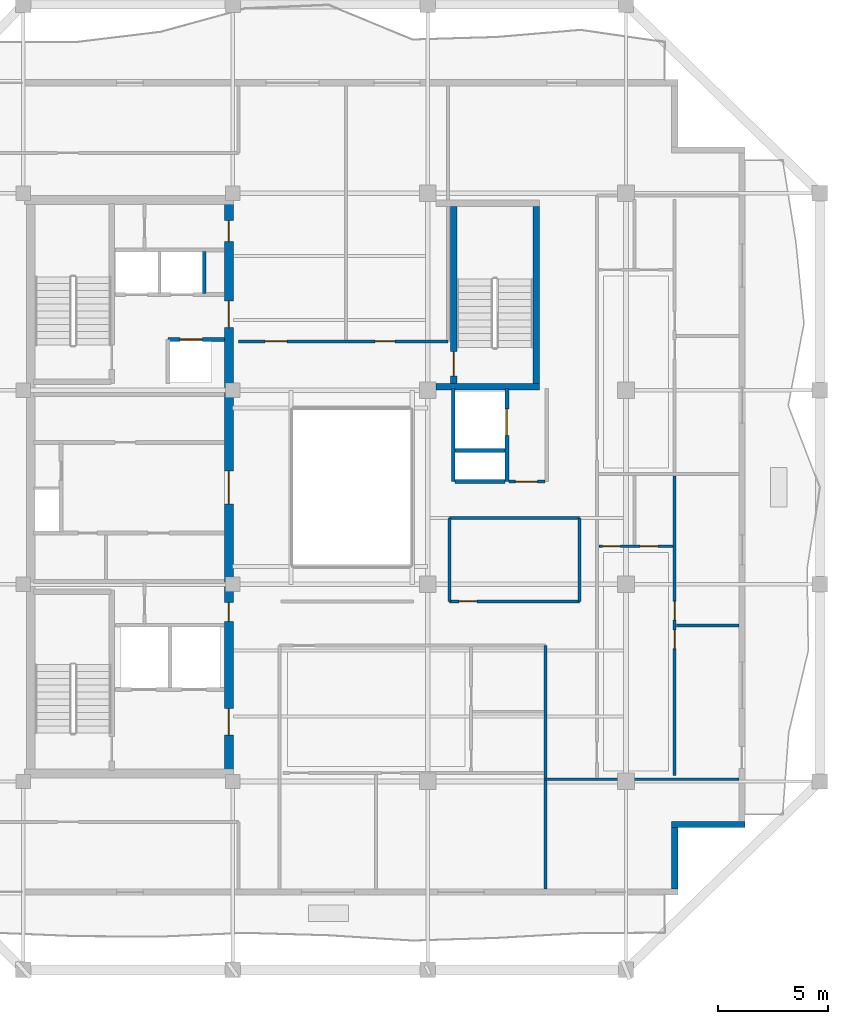
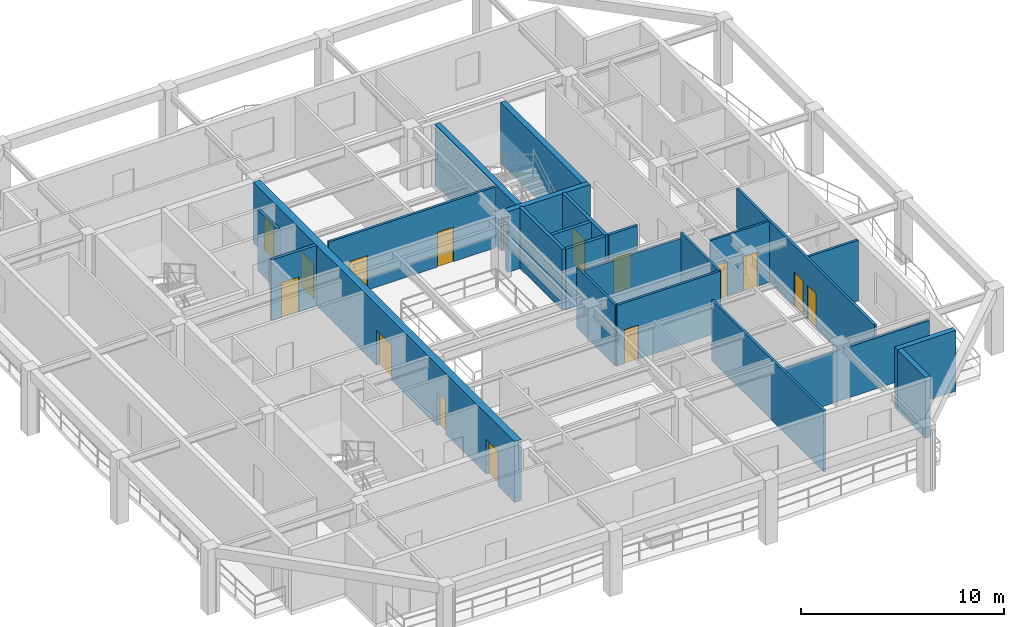
# One storey, part 4 of 10: 23 walls, 16 doors, 16 openings.
"""IFC4 building model written with IfcOpenShell, lengths in metres."""

from ifc_helpers import new_model, si_unit, direction, frame, frame_2d, origin, place, context, subcontext, project, spatial, rectangle, extrude, material, layer, layer_set, type_object, element, fill, save


model = new_model("IFC4")

# Units and contexts
model_context = context("Model", 3, precision=1e-05, world=origin(), true_north=direction((0.0, 1.0)))
body_context = subcontext(model_context, "Body", "Model", "MODEL_VIEW")
ifc_project = project(units=[si_unit("LENGTHUNIT", "METRE"), si_unit("AREAUNIT", "SQUARE_METRE"), si_unit("VOLUMEUNIT", "CUBIC_METRE"), si_unit("PLANEANGLEUNIT", "RADIAN"), si_unit("MASSUNIT", "GRAM", prefix="KILO")], contexts=[model_context])

# Site, building, storey
site_placement = place(None, origin())
site = spatial("IfcSite", under=ifc_project, at=site_placement, CompositionType="ELEMENT")
building_placement = place(site_placement, origin())
building = spatial("IfcBuilding", under=site, at=building_placement, Name="Kundavana Baori Tower", CompositionType="ELEMENT")
storey_placement = place(building_placement, frame((0.0, 0.0, 299.89990234375)))
storey = spatial("IfcBuildingStorey", under=building, at=storey_placement, Name="L74", CompositionType="ELEMENT", Elevation=299.89990234375)

# Wall, openings, doors
ifc_material_1 = material(Name="Concrete C50/60", Category="concrete")
ifc_layer_1 = layer(ifc_material_1, 0.39990234375, Name="WL-CORE-400")
ifc_layer_set_1 = layer_set([ifc_layer_1], Name="Concrete C50/60")
wall_type_1 = type_object("IfcWallType", Name="WL-CORE-400", PredefinedType="SHEAR", material=ifc_layer_set_1)
wall_1_placement = place(storey_placement, frame((24.780029296875, 15.739990234375, 0.0), z_axis=(0.0, 0.0, 1.0), x_axis=(0.0, 1.0, 0.0)))
wall_1 = element("IfcWall", 1, at=wall_1_placement, inside=storey, type_object=wall_type_1, Name="L74 Offset Core East Shear Wall", PredefinedType="SHEAR", context=body_context, shape_type="SweptSolid", body=[
    extrude(rectangle(XDim=25.760009765625, YDim=0.39990234375, at=frame_2d((12.8798828125, 0.0))), origin(), (0.0, 0.0, 1.0), 3.66015625),
])
opening_1_placement = place(wall_1_placement, frame((1.610107421875, 0.0, 0.0)))
opening_1 = element("IfcOpeningElement", 2, at=opening_1_placement, cuts=wall_1, Name="Opening FD-120", PredefinedType="OPENING", context=body_context, shape_type="SweptSolid", body=[
    extrude(rectangle(XDim=1.199951171875, YDim=2.10009765625, at=frame_2d((0.60009765625, 1.050048828125))), frame((0.0, 0.2099609375, 0.0), z_axis=(0.0, -1.0, 0.0), x_axis=(1.0, 0.0, 0.0)), (0.0, 0.0, 1.0), 0.419921875),
])
opening_2_placement = place(wall_1_placement, frame((6.780029296875, 0.0, 0.0)))
opening_2 = element("IfcOpeningElement", 3, at=opening_2_placement, cuts=wall_1, Name="Opening FD-085", PredefinedType="OPENING", context=body_context, shape_type="SweptSolid", body=[
    extrude(rectangle(XDim=0.85009765625, YDim=2.06005859375, at=frame_2d((0.425048828125, 1.030029296875))), frame((0.0, 0.2099609375, 0.0), z_axis=(0.0, -1.0, 0.0), x_axis=(1.0, 0.0, 0.0)), (0.0, 0.0, 1.0), 0.419921875),
])
opening_3_placement = place(wall_1_placement, frame((12.110107421875, 0.0, 0.0)))
opening_3 = element("IfcOpeningElement", 4, at=opening_3_placement, cuts=wall_1, Name="Opening FD-150", PredefinedType="OPENING", context=body_context, shape_type="SweptSolid", body=[
    extrude(rectangle(XDim=1.5, YDim=2.1201171875, at=frame_2d((0.75, 1.06005859375))), frame((0.0, 0.2099609375, 0.0), z_axis=(0.0, -1.0, 0.0), x_axis=(1.0, 0.0, 0.0)), (0.0, 0.0, 1.0), 0.419921875),
])
opening_4_placement = place(wall_1_placement, frame((20.110107421875, 0.0, 0.0)))
opening_4 = element("IfcOpeningElement", 5, at=opening_4_placement, cuts=wall_1, Name="Opening FD-122", PredefinedType="OPENING", context=body_context, shape_type="SweptSolid", body=[
    extrude(rectangle(XDim=1.199951171875, YDim=2.1201171875, at=frame_2d((0.60009765625, 1.06005859375))), frame((0.0, 0.2099609375, 0.0), z_axis=(0.0, -1.0, 0.0), x_axis=(1.0, 0.0, 0.0)), (0.0, 0.0, 1.0), 0.419921875),
])
opening_5_placement = place(wall_1_placement, frame((24.010009765625, 0.0, 0.0)))
opening_5 = element("IfcOpeningElement", 6, at=opening_5_placement, cuts=wall_1, Name="Opening FD-095", PredefinedType="OPENING", context=body_context, shape_type="SweptSolid", body=[
    extrude(rectangle(XDim=0.949951171875, YDim=2.10009765625, at=frame_2d((0.47509765625, 1.050048828125))), frame((0.0, 0.2099609375, 0.0), z_axis=(0.0, -1.0, 0.0), x_axis=(1.0, 0.0, 0.0)), (0.0, 0.0, 1.0), 0.419921875),
])
ifc_material_2 = material(Name="Galvanised Steel Fire-Rated Door Leaf", Category="steel")
door_type_1 = type_object("IfcDoorType", Name="DR-FD120-1200", OperationType="NOTDEFINED", PredefinedType="DOOR", material=ifc_material_2)
door_1_placement = place(opening_1_placement, frame((1.199951171875, 0.0, 0.0), z_axis=(0.0, 0.0, 1.0), x_axis=(-1.0, 0.0, 0.0)))
door_1 = element("IfcDoor", 7, at=door_1_placement, inside=storey, type_object=door_type_1, Name="DR-L74-FFLOB-E", OperationType="SINGLE_SWING_RIGHT", OverallHeight=2.10009765625, OverallWidth=1.199951171875, PredefinedType="DOOR", context=body_context, shape_type="SweptSolid", body=[
    extrude(rectangle(XDim=1.199951171875, YDim=2.10009765625, at=frame_2d((0.60009765625, 1.050048828125))), frame((0.0, 0.02490234375, 0.0), z_axis=(0.0, -1.0, 0.0), x_axis=(1.0, 0.0, 0.0)), (0.0, 0.0, 1.0), 0.050048828125),
])
fill(opening_1, door_1)
ifc_material_3 = material(Name="Galvanised Steel Fire-Rated Door Leaf", Category="steel")
door_type_2 = type_object("IfcDoorType", Name="DR-FD60-1200", OperationType="NOTDEFINED", PredefinedType="DOOR", material=ifc_material_3)
door_2_placement = place(opening_4_placement, frame((1.199951171875, 0.0, 0.0), z_axis=(0.0, 0.0, 1.0), x_axis=(-1.0, 0.0, 0.0)))
door_2 = element("IfcDoor", 8, at=door_2_placement, inside=storey, type_object=door_type_2, Name="DR-L74-HRLOB-E", OperationType="SINGLE_SWING_RIGHT", OverallHeight=2.1201171875, OverallWidth=1.199951171875, PredefinedType="DOOR", context=body_context, shape_type="SweptSolid", body=[
    extrude(rectangle(XDim=1.199951171875, YDim=2.1201171875, at=frame_2d((0.60009765625, 1.06005859375))), frame((0.0, 0.02490234375, 0.0), z_axis=(0.0, -1.0, 0.0), x_axis=(1.0, 0.0, 0.0)), (0.0, 0.0, 1.0), 0.050048828125),
])
fill(opening_4, door_2)
ifc_material_4 = material(Name="Galvanised Steel Fire-Rated Door Leaf", Category="steel")
door_type_3 = type_object("IfcDoorType", Name="DR-FD60-1500", OperationType="NOTDEFINED", PredefinedType="DOOR", material=ifc_material_4)
door_3_placement = place(opening_3_placement, frame((1.5, 0.0, 0.0), z_axis=(0.0, 0.0, 1.0), x_axis=(-1.0, 0.0, 0.0)))
door_3 = element("IfcDoor", 9, at=door_3_placement, inside=storey, type_object=door_type_3, Name="DR-L74-LIFTHALL-E", OperationType="SINGLE_SWING_LEFT", OverallHeight=2.1201171875, OverallWidth=1.5, PredefinedType="DOOR", context=body_context, shape_type="SweptSolid", body=[
    extrude(rectangle(XDim=1.5, YDim=2.1201171875, at=frame_2d((0.75, 1.06005859375))), frame((0.0, 0.02490234375, 0.0), z_axis=(0.0, -1.0, 0.0), x_axis=(1.0, 0.0, 0.0)), (0.0, 0.0, 1.0), 0.050048828125),
])
fill(opening_3, door_3)
ifc_material_5 = material(Name="Galvanised Steel Fire-Rated Door Leaf", Category="steel")
door_type_4 = type_object("IfcDoorType", Name="DR-FD60-850", OperationType="NOTDEFINED", PredefinedType="DOOR", material=ifc_material_5)
door_4_placement = place(opening_2_placement, frame((0.85009765625, 0.0, 0.0), z_axis=(0.0, 0.0, 1.0), x_axis=(-1.0, 0.0, 0.0)))
door_4 = element("IfcDoor", 10, at=door_4_placement, inside=storey, type_object=door_type_4, Name="DR-L74-CSMK2", OperationType="SINGLE_SWING_LEFT", OverallHeight=2.06005859375, OverallWidth=0.85009765625, PredefinedType="DOOR", context=body_context, shape_type="SweptSolid", body=[
    extrude(rectangle(XDim=0.85009765625, YDim=2.06005859375, at=frame_2d((0.425048828125, 1.030029296875))), frame((0.0, 0.02490234375, 0.0), z_axis=(0.0, -1.0, 0.0), x_axis=(1.0, 0.0, 0.0)), (0.0, 0.0, 1.0), 0.050048828125),
])
fill(opening_2, door_4)
ifc_material_6 = material(Name="Engineered Teak Fire-Rated Timber Door Leaf", Category="wood")
door_type_5 = type_object("IfcDoorType", Name="DR-FD60-950", OperationType="NOTDEFINED", PredefinedType="DOOR", material=ifc_material_6)
door_5_placement = place(opening_5_placement, frame((0.949951171875, 0.0, 0.0), z_axis=(0.0, 0.0, 1.0), x_axis=(-1.0, 0.0, 0.0)))
door_5 = element("IfcDoor", 11, at=door_5_placement, inside=storey, type_object=door_type_5, Name="DR-L74-CSRV2", OperationType="SINGLE_SWING_LEFT", OverallHeight=2.10009765625, OverallWidth=0.949951171875, PredefinedType="DOOR", context=body_context, shape_type="SweptSolid", body=[
    extrude(rectangle(XDim=0.949951171875, YDim=2.10009765625, at=frame_2d((0.47509765625, 1.050048828125))), frame((0.0, 0.02490234375, 0.0), z_axis=(0.0, -1.0, 0.0), x_axis=(1.0, 0.0, 0.0)), (0.0, 0.0, 1.0), 0.050048828125),
])
fill(opening_5, door_5)

# Walls
ifc_material_7 = material(Name="Red-Buff Dholpur Sandstone Cladding on Concrete C40/50", Category="masonry")
ifc_layer_2 = layer(ifc_material_7, 0.280029296875, Name="WL-EXT-SAND-280")
ifc_layer_set_2 = layer_set([ifc_layer_2], Name="Red-Buff Dholpur Sandstone Cladding on Concrete C40/50")
wall_type_2 = type_object("IfcWallType", Name="WL-EXT-SAND-280", PredefinedType="STANDARD", material=ifc_layer_set_2)
wall_2_placement = place(storey_placement, frame((45.010009765625, 10.3798828125, 0.0), z_axis=(0.0, 0.0, 1.0), x_axis=(0.0, 1.0, 0.0)))
element("IfcWall", 12, at=wall_2_placement, inside=storey, type_object=wall_type_2, Name="L74 Exterior Insulated Facade Wall 02", PredefinedType="STANDARD", context=body_context, shape_type="SweptSolid", body=[
    extrude(rectangle(XDim=2.77001953125, YDim=0.280029296875, at=frame_2d((1.385009765625, 0.0))), origin(), (0.0, 0.0, 1.0), 3.66015625),
])
wall_3_placement = place(storey_placement, frame((44.8701171875, 13.2900390625, 0.0), z_axis=(0.0, 0.0, 1.0), x_axis=(1.0, 0.0, 0.0)))
element("IfcWall", 13, at=wall_3_placement, inside=storey, type_object=wall_type_2, Name="L74 Exterior Insulated Facade Wall 03", PredefinedType="STANDARD", context=body_context, shape_type="SweptSolid", body=[
    extrude(rectangle(XDim=3.329833984375, YDim=0.280029296875, at=frame_2d((1.6650390625, 0.0))), origin(), (0.0, 0.0, 1.0), 3.66015625),
])

# Wall, openings, doors
ifc_material_8 = material(Name="Acoustic Gypsum Plasterboard on Galvanised Steel Studs", Category="steel")
ifc_layer_3 = layer(ifc_material_8, 0.135009765625, Name="WL-PART-135")
ifc_layer_set_3 = layer_set([ifc_layer_3], Name="Acoustic Gypsum Plasterboard on Galvanised Steel Studs")
wall_type_3 = type_object("IfcWallType", Name="WL-PART-135", PredefinedType="PARTITIONING", material=ifc_layer_set_3)
wall_4_placement = place(storey_placement, frame((25.219970703125, 35.219970703125, 0.0), z_axis=(0.0, 0.0, 1.0), x_axis=(1.0, 0.0, 0.0)))
wall_4 = element("IfcWall", 14, at=wall_4_placement, inside=storey, type_object=wall_type_3, Name="WL-L74-RN", PredefinedType="PARTITIONING", context=body_context, shape_type="SweptSolid", body=[
    extrude(rectangle(XDim=9.5, YDim=0.135009765625, at=frame_2d((4.75, 0.0))), origin(), (0.0, 0.0, 1.0), 3.66015625),
])
opening_6_placement = place(wall_4_placement, frame((1.199951171875, 0.0, 0.0)))
opening_6 = element("IfcOpeningElement", 15, at=opening_6_placement, cuts=wall_4, Name="Opening ID-100", PredefinedType="OPENING", context=body_context, shape_type="SweptSolid", body=[
    extrude(rectangle(XDim=1.0, YDim=2.080078125, at=frame_2d((0.5, 1.0400390625))), frame((0.0, 0.07763671875, 0.0), z_axis=(0.0, -1.0, 0.0), x_axis=(1.0, 0.0, 0.0)), (0.0, 0.0, 1.0), 0.155029296875),
])
opening_7_placement = place(wall_4_placement, frame((6.199951171875, 0.0, 0.0)))
opening_7 = element("IfcOpeningElement", 16, at=opening_7_placement, cuts=wall_4, Name="Opening ID-090", PredefinedType="OPENING", context=body_context, shape_type="SweptSolid", body=[
    extrude(rectangle(XDim=0.89990234375, YDim=2.080078125, at=frame_2d((0.449951171875, 1.0400390625))), frame((0.0, 0.07763671875, 0.0), z_axis=(0.0, -1.0, 0.0), x_axis=(1.0, 0.0, 0.0)), (0.0, 0.0, 1.0), 0.155029296875),
])
ifc_material_9 = material(Name="Engineered Teak Solid-Core Timber Veneer", Category="wood")
door_type_6 = type_object("IfcDoorType", Name="DR-INT-1000", OperationType="NOTDEFINED", PredefinedType="DOOR", material=ifc_material_9)
door_6_placement = place(opening_6_placement, origin())
door_6 = element("IfcDoor", 17, at=door_6_placement, inside=storey, type_object=door_type_6, Name="DR-L74-RLN1", OperationType="SINGLE_SWING_LEFT", OverallHeight=2.080078125, OverallWidth=1.0, PredefinedType="DOOR", context=body_context, shape_type="SweptSolid", body=[
    extrude(rectangle(XDim=1.0, YDim=2.080078125, at=frame_2d((0.5, 1.0400390625))), frame((0.0, 0.02490234375, 0.0), z_axis=(0.0, -1.0, 0.0), x_axis=(1.0, 0.0, 0.0)), (0.0, 0.0, 1.0), 0.050048828125),
])
fill(opening_6, door_6)
ifc_material_10 = material(Name="Engineered Teak Solid-Core Timber Veneer", Category="wood")
door_type_7 = type_object("IfcDoorType", Name="DR-INT-900", OperationType="NOTDEFINED", PredefinedType="DOOR", material=ifc_material_10)
door_7_placement = place(opening_7_placement, origin())
door_7 = element("IfcDoor", 18, at=door_7_placement, inside=storey, type_object=door_type_7, Name="DR-L74-RLN2", OperationType="SINGLE_SWING_RIGHT", OverallHeight=2.080078125, OverallWidth=0.89990234375, PredefinedType="DOOR", context=body_context, shape_type="SweptSolid", body=[
    extrude(rectangle(XDim=0.89990234375, YDim=2.080078125, at=frame_2d((0.449951171875, 1.0400390625))), frame((0.0, 0.02490234375, 0.0), z_axis=(0.0, -1.0, 0.0), x_axis=(1.0, 0.0, 0.0)), (0.0, 0.0, 1.0), 0.050048828125),
])
fill(opening_7, door_7)

# Walls
wall_5_placement = place(storey_placement, frame((39.14990234375, 10.3798828125, 0.0), z_axis=(0.0, 0.0, 1.0), x_axis=(0.0, 1.0, 0.0)))
element("IfcWall", 19, at=wall_5_placement, inside=storey, type_object=wall_type_3, Name="WL-L74-RSEND", PredefinedType="PARTITIONING", context=body_context, shape_type="SweptSolid", body=[
    extrude(rectangle(XDim=11.0400390625, YDim=0.135009765625, at=frame_2d((5.52001953125, 0.0))), origin(), (0.0, 0.0, 1.0), 3.66015625),
])
wall_6_placement = place(storey_placement, frame((39.14990234375, 15.35009765625, 0.0), z_axis=(0.0, 0.0, 1.0), x_axis=(1.0, 0.0, 0.0)))
element("IfcWall", 20, at=wall_6_placement, inside=storey, type_object=wall_type_3, Name="WL-L74-RES", PredefinedType="PARTITIONING", context=body_context, shape_type="SweptSolid", body=[
    extrude(rectangle(XDim=8.77001953125, YDim=0.135009765625, at=frame_2d((4.385009765625, 0.0))), origin(), (0.0, 0.0, 1.0), 3.06005859375),
])

# Wall, openings, doors
wall_7_placement = place(storey_placement, frame((45.00390625, 15.530029296875, 0.0), z_axis=(0.0, 0.0, 1.0), x_axis=(0.0, 1.0, 0.0)))
wall_7 = element("IfcWall", 21, at=wall_7_placement, inside=storey, type_object=wall_type_3, Name="WL-L74-E1-VT", PredefinedType="PARTITIONING", context=body_context, shape_type="SweptSolid", body=[
    extrude(rectangle(XDim=13.590087890625, YDim=0.135009765625, at=frame_2d((6.794921875, 0.0))), origin(), (0.0, 0.0, 1.0), 3.66015625),
])
opening_8_placement = place(wall_7_placement, frame((5.7451171875, 0.0, 0.0)))
opening_8 = element("IfcOpeningElement", 22, at=opening_8_placement, cuts=wall_7, Name="Opening ID-085", PredefinedType="OPENING", context=body_context, shape_type="SweptSolid", body=[
    extrude(rectangle(XDim=0.85009765625, YDim=2.080078125, at=frame_2d((0.425048828125, 1.0400390625))), frame((0.0, 0.07763671875, 0.0), z_axis=(0.0, -1.0, 0.0), x_axis=(1.0, 0.0, 0.0)), (0.0, 0.0, 1.0), 0.155029296875),
])
opening_9_placement = place(wall_7_placement, frame((7.044921875, 0.0, 0.0)))
opening_9 = element("IfcOpeningElement", 23, at=opening_9_placement, cuts=wall_7, Name="Opening ID-085", PredefinedType="OPENING", context=body_context, shape_type="SweptSolid", body=[
    extrude(rectangle(XDim=0.85009765625, YDim=2.080078125, at=frame_2d((0.425048828125, 1.0400390625))), frame((0.0, 0.07763671875, 0.0), z_axis=(0.0, -1.0, 0.0), x_axis=(1.0, 0.0, 0.0)), (0.0, 0.0, 1.0), 0.155029296875),
])
ifc_material_11 = material(Name="Engineered Teak Solid-Core Timber Veneer", Category="wood")
door_type_8 = type_object("IfcDoorType", Name="DR-INT-850", OperationType="NOTDEFINED", PredefinedType="DOOR", material=ifc_material_11)
door_8_placement = place(opening_8_placement, origin())
door_8 = element("IfcDoor", 24, at=door_8_placement, inside=storey, type_object=door_type_8, Name="DR-L74-E1-B1", OperationType="SINGLE_SWING_LEFT", OverallHeight=2.080078125, OverallWidth=0.85009765625, PredefinedType="DOOR", context=body_context, shape_type="SweptSolid", body=[
    extrude(rectangle(XDim=0.85009765625, YDim=2.080078125, at=frame_2d((0.425048828125, 1.0400390625))), frame((0.0, 0.02490234375, 0.0), z_axis=(0.0, -1.0, 0.0), x_axis=(1.0, 0.0, 0.0)), (0.0, 0.0, 1.0), 0.050048828125),
])
fill(opening_8, door_8)
door_9_placement = place(opening_9_placement, origin())
door_9 = element("IfcDoor", 25, at=door_9_placement, inside=storey, type_object=door_type_8, Name="DR-L74-E1-B2", OperationType="SINGLE_SWING_RIGHT", OverallHeight=2.080078125, OverallWidth=0.85009765625, PredefinedType="DOOR", context=body_context, shape_type="SweptSolid", body=[
    extrude(rectangle(XDim=0.85009765625, YDim=2.080078125, at=frame_2d((0.425048828125, 1.0400390625))), frame((0.0, 0.02490234375, 0.0), z_axis=(0.0, -1.0, 0.0), x_axis=(1.0, 0.0, 0.0)), (0.0, 0.0, 1.0), 0.050048828125),
])
fill(opening_9, door_9)

# Wall
wall_8_placement = place(storey_placement, frame((45.083984375, 22.324951171875, 0.0), z_axis=(0.0, 0.0, 1.0), x_axis=(1.0, 0.0, 0.0)))
element("IfcWall", 26, at=wall_8_placement, inside=storey, type_object=wall_type_3, Name="WL-L74-E1-BDH", PredefinedType="PARTITIONING", context=body_context, shape_type="SweptSolid", body=[
    extrude(rectangle(XDim=2.8359375, YDim=0.135009765625, at=frame_2d((1.41796875, 0.0))), origin(), (0.0, 0.0, 1.0), 3.66015625),
])

# Wall, opening, door
wall_9_placement = place(storey_placement, frame((34.800048828125, 23.419921875, 0.0), z_axis=(0.0, 0.0, 1.0), x_axis=(1.0, 0.0, 0.0)))
wall_9 = element("IfcWall", 27, at=wall_9_placement, inside=storey, type_object=wall_type_3, Name="WL-L74-ALS", PredefinedType="PARTITIONING", context=body_context, shape_type="SweptSolid", body=[
    extrude(rectangle(XDim=5.89990234375, YDim=0.135009765625, at=frame_2d((2.949951171875, 0.0))), origin(), (0.0, 0.0, 1.0), 3.66015625),
])
opening_10_placement = place(wall_9_placement, frame((0.429931640625, 0.0, 0.0)))
opening_10 = element("IfcOpeningElement", 28, at=opening_10_placement, cuts=wall_9, Name="Opening WD-080", PredefinedType="OPENING", context=body_context, shape_type="SweptSolid", body=[
    extrude(rectangle(XDim=0.800048828125, YDim=2.050048828125, at=frame_2d((0.39990234375, 1.02490234375))), frame((0.0, 0.07763671875, 0.0), z_axis=(0.0, -1.0, 0.0), x_axis=(1.0, 0.0, 0.0)), (0.0, 0.0, 1.0), 0.155029296875),
])
ifc_material_12 = material(Name="Engineered Teak Solid-Core Timber Veneer", Category="wood")
door_type_9 = type_object("IfcDoorType", Name="DR-WET-800", OperationType="NOTDEFINED", PredefinedType="DOOR", material=ifc_material_12)
door_10_placement = place(opening_10_placement, origin())
door_10 = element("IfcDoor", 29, at=door_10_placement, inside=storey, type_object=door_type_9, Name="DR-L74-RALC1", OperationType="SINGLE_SWING_LEFT", OverallHeight=2.050048828125, OverallWidth=0.800048828125, PredefinedType="DOOR", context=body_context, shape_type="SweptSolid", body=[
    extrude(rectangle(XDim=0.800048828125, YDim=2.050048828125, at=frame_2d((0.39990234375, 1.02490234375))), frame((0.0, 0.02490234375, 0.0), z_axis=(0.0, -1.0, 0.0), x_axis=(1.0, 0.0, 0.0)), (0.0, 0.0, 1.0), 0.050048828125),
])
fill(opening_10, door_10)

# Walls
wall_10_placement = place(storey_placement, frame((34.800048828125, 27.199951171875, 0.0), z_axis=(0.0, 0.0, 1.0), x_axis=(1.0, 0.0, 0.0)))
element("IfcWall", 30, at=wall_10_placement, inside=storey, type_object=wall_type_3, Name="WL-L74-ALN", PredefinedType="PARTITIONING", context=body_context, shape_type="SweptSolid", body=[
    extrude(rectangle(XDim=5.89990234375, YDim=0.135009765625, at=frame_2d((2.949951171875, 0.0))), origin(), (0.0, 0.0, 1.0), 3.360107421875),
])
for number, where, z_axis, x_axis, name in (
    (31, (34.800048828125, 23.419921875, 0.0), (0.0, 0.0, 1.0), (0.0, 1.0, 0.0), "WL-L74-ALW"),
    (32, (40.699951171875, 23.419921875, 0.0), (0.0, 0.0, 1.0), (0.0, 1.0, 0.0), "WL-L74-ALE"),
):
    element("IfcWall", number, at=place(storey_placement, frame(where, z_axis=z_axis, x_axis=x_axis)), inside=storey, type_object=wall_type_3, Name=name, PredefinedType="PARTITIONING", context=body_context, shape_type="SweptSolid", body=[
        extrude(rectangle(XDim=3.780029296875, YDim=0.135009765625, at=frame_2d((1.89013671875, 0.0))), origin(), (0.0, 0.0, 1.0), 3.66015625),
    ])

# Wall, opening, door
ifc_material_13 = material(Name="Fire-Rated Gypsum Drywall on Galvanised Steel Studs", Category="steel")
ifc_layer_4 = layer(ifc_material_13, 0.14990234375, Name="WL-PART-150")
ifc_layer_set_4 = layer_set([ifc_layer_4], Name="Fire-Rated Gypsum Drywall on Galvanised Steel Studs")
wall_type_4 = type_object("IfcWallType", Name="WL-PART-150", PredefinedType="PARTITIONING", material=ifc_layer_set_4)
wall_11_placement = place(storey_placement, frame((37.47998046875, 28.860107421875, 0.0), z_axis=(0.0, 0.0, 1.0), x_axis=(1.0, 0.0, 0.0)))
wall_11 = element("IfcWall", 33, at=wall_11_placement, inside=storey, type_object=wall_type_4, Name="WL-L74-SVLOB-S", PredefinedType="PARTITIONING", context=body_context, shape_type="SweptSolid", body=[
    extrude(rectangle(XDim=1.64013671875, YDim=0.14990234375, at=frame_2d((0.820068359375, 0.0))), origin(), (0.0, 0.0, 1.0), 3.66015625),
])
opening_11_placement = place(wall_11_placement, frame((0.300048828125, 0.0, 0.0)))
opening_11 = element("IfcOpeningElement", 34, at=opening_11_placement, cuts=wall_11, Name="Opening FD-100", PredefinedType="OPENING", context=body_context, shape_type="SweptSolid", body=[
    extrude(rectangle(XDim=1.0, YDim=2.10009765625, at=frame_2d((0.5, 1.050048828125))), frame((0.0, 0.0849609375, 0.0), z_axis=(0.0, -1.0, 0.0), x_axis=(1.0, 0.0, 0.0)), (0.0, 0.0, 1.0), 0.169921875),
])
ifc_material_14 = material(Name="Engineered Teak Fire-Rated Timber Door Leaf", Category="wood")
door_type_10 = type_object("IfcDoorType", Name="DR-FD60-1000", OperationType="NOTDEFINED", PredefinedType="DOOR", material=ifc_material_14)
door_11_placement = place(opening_11_placement, origin())
door_11 = element("IfcDoor", 35, at=door_11_placement, inside=storey, type_object=door_type_10, Name="DR-L74-SVLOB-OUT", OperationType="SINGLE_SWING_LEFT", OverallHeight=2.10009765625, OverallWidth=1.0, PredefinedType="DOOR", context=body_context, shape_type="SweptSolid", body=[
    extrude(rectangle(XDim=1.0, YDim=2.10009765625, at=frame_2d((0.5, 1.050048828125))), frame((0.0, 0.02490234375, 0.0), z_axis=(0.0, -1.0, 0.0), x_axis=(1.0, 0.0, 0.0)), (0.0, 0.0, 1.0), 0.050048828125),
])
fill(opening_11, door_11)

ifc_material_15 = material(Name="Autoclaved Aerated Concrete Blockwork Masonry", Category="masonry")
ifc_layer_5 = layer(ifc_material_15, 0.179931640625, Name="WL-SHAFT-180")
ifc_layer_set_5 = layer_set([ifc_layer_5], Name="Autoclaved Aerated Concrete Blockwork Masonry")
wall_type_5 = type_object("IfcWallType", Name="WL-SHAFT-180", PredefinedType="SOLIDWALL", material=ifc_layer_set_5)
wall_12_placement = place(storey_placement, frame((22.02001953125, 35.31005859375, 0.0), z_axis=(0.0, 0.0, 1.0), x_axis=(1.0, 0.0, 0.0)))
wall_12 = element("IfcWall", 36, at=wall_12_placement, inside=storey, type_object=wall_type_5, Name="WL-L74-LP11-N", PredefinedType="SOLIDWALL", context=body_context, shape_type="SweptSolid", body=[
    extrude(rectangle(XDim=2.56005859375, YDim=0.179931640625, at=frame_2d((1.280029296875, 0.0))), origin(), (0.0, 0.0, 1.0), 3.66015625),
])
opening_12_placement = place(wall_12_placement, frame((0.550048828125, 0.0, 0.0)))
opening_12 = element("IfcOpeningElement", 37, at=opening_12_placement, cuts=wall_12, Name="Opening LD-100", PredefinedType="OPENING", context=body_context, shape_type="SweptSolid", body=[
    extrude(rectangle(XDim=1.0, YDim=2.10009765625, at=frame_2d((0.5, 1.050048828125))), frame((0.0, 0.10009765625, 0.0), z_axis=(0.0, -1.0, 0.0), x_axis=(1.0, 0.0, 0.0)), (0.0, 0.0, 1.0), 0.199951171875),
])
ifc_material_16 = material(Name="Galvanised Steel Fire-Rated Door Leaf", Category="steel")
door_type_11 = type_object("IfcDoorType", Name="DR-SLIDE-LD1000", OperationType="NOTDEFINED", PredefinedType="DOOR", material=ifc_material_16)
door_12_placement = place(opening_12_placement, origin())
door_12 = element("IfcDoor", 38, at=door_12_placement, inside=storey, type_object=door_type_11, Name="DR-L74-LD-LP11", OperationType="DOUBLE_DOOR_SLIDING", OverallHeight=2.10009765625, OverallWidth=1.0, PredefinedType="DOOR", context=body_context, shape_type="SweptSolid", body=[
    extrude(rectangle(XDim=1.0, YDim=2.10009765625, at=frame_2d((0.5, 1.050048828125))), frame((0.0, 0.02490234375, 0.0), z_axis=(0.0, -1.0, 0.0), x_axis=(1.0, 0.0, 0.0)), (0.0, 0.0, 1.0), 0.050048828125),
])
fill(opening_12, door_12)

# Walls
wall_13_placement = place(storey_placement, frame((23.659912109375, 37.39990234375, 0.0), z_axis=(0.0, 0.0, 1.0), x_axis=(0.0, 1.0, 0.0)))
element("IfcWall", 39, at=wall_13_placement, inside=storey, type_object=wall_type_5, Name="WL-L74-HR-DIV2", PredefinedType="SOLIDWALL", context=body_context, shape_type="SweptSolid", body=[
    extrude(rectangle(XDim=1.900146484375, YDim=0.179931640625, at=frame_2d((0.9501953125, 0.0))), origin(), (0.0, 0.0, 1.0), 3.66015625),
])
wall_14_placement = place(storey_placement, frame((34.9599609375, 28.860107421875, 0.0), z_axis=(0.0, 0.0, 1.0), x_axis=(0.0, 1.0, 0.0)))
element("IfcWall", 40, at=wall_14_placement, inside=storey, type_object=wall_type_5, Name="WL-L74-SVL-W", PredefinedType="SOLIDWALL", context=body_context, shape_type="SweptSolid", body=[
    extrude(rectangle(XDim=4.219970703125, YDim=0.179931640625, at=frame_2d((2.10986328125, 0.0))), origin(), (0.0, 0.0, 1.0), 3.66015625),
])

# Wall, opening, door
wall_15_placement = place(storey_placement, frame((37.389892578125, 28.860107421875, 0.0), z_axis=(0.0, 0.0, 1.0), x_axis=(0.0, 1.0, 0.0)))
wall_15 = element("IfcWall", 41, at=wall_15_placement, inside=storey, type_object=wall_type_5, Name="WL-L74-SVL-E", PredefinedType="SOLIDWALL", context=body_context, shape_type="SweptSolid", body=[
    extrude(rectangle(XDim=4.219970703125, YDim=0.179931640625, at=frame_2d((2.10986328125, 0.0))), origin(), (0.0, 0.0, 1.0), 3.66015625),
])
opening_13_placement = place(wall_15_placement, frame((2.10009765625, 0.0, 0.0)))
opening_13 = element("IfcOpeningElement", 42, at=opening_13_placement, cuts=wall_15, Name="Opening LD-120", PredefinedType="OPENING", context=body_context, shape_type="SweptSolid", body=[
    extrude(rectangle(XDim=1.199951171875, YDim=2.1201171875, at=frame_2d((0.60009765625, 1.06005859375))), frame((0.0, 0.10009765625, 0.0), z_axis=(0.0, -1.0, 0.0), x_axis=(1.0, 0.0, 0.0)), (0.0, 0.0, 1.0), 0.199951171875),
])
ifc_material_17 = material(Name="Galvanised Steel Fire-Rated Door Leaf", Category="steel")
door_type_12 = type_object("IfcDoorType", Name="DR-SLIDE-LD1200", OperationType="NOTDEFINED", PredefinedType="DOOR", material=ifc_material_17)
door_13_placement = place(opening_13_placement, frame((1.199951171875, 0.0, 0.0), z_axis=(0.0, 0.0, 1.0), x_axis=(-1.0, 0.0, 0.0)))
door_13 = element("IfcDoor", 43, at=door_13_placement, inside=storey, type_object=door_type_12, Name="DR-L74-LD-SVL1", OperationType="DOUBLE_DOOR_SLIDING", OverallHeight=2.1201171875, OverallWidth=1.199951171875, PredefinedType="DOOR", context=body_context, shape_type="SweptSolid", body=[
    extrude(rectangle(XDim=1.199951171875, YDim=2.1201171875, at=frame_2d((0.60009765625, 1.06005859375))), frame((0.0, 0.02490234375, 0.0), z_axis=(0.0, -1.0, 0.0), x_axis=(1.0, 0.0, 0.0)), (0.0, 0.0, 1.0), 0.050048828125),
])
fill(opening_13, door_13)

# Walls
for number, where, z_axis, x_axis, name in (
    (44, (35.050048828125, 28.860107421875, 0.0), (0.0, 0.0, 1.0), (1.0, 0.0, 0.0), "WL-L74-SVL-S"),
    (45, (35.050048828125, 30.27001953125, 0.0), (0.0, 0.0, 1.0), (1.0, 0.0, 0.0), "WL-L74-SVL-M"),
):
    element("IfcWall", number, at=place(storey_placement, frame(where, z_axis=z_axis, x_axis=x_axis)), inside=storey, type_object=wall_type_5, Name=name, PredefinedType="SOLIDWALL", context=body_context, shape_type="SweptSolid", body=[
        extrude(rectangle(XDim=2.25, YDim=0.179931640625, at=frame_2d((1.125, 0.0))), origin(), (0.0, 0.0, 1.0), 3.66015625),
    ])
ifc_material_18 = material(Name="Concrete C50/60", Category="concrete")
ifc_layer_6 = layer(ifc_material_18, 0.300048828125, Name="WL-ST3-300")
ifc_layer_set_6 = layer_set([ifc_layer_6], Name="Concrete C50/60")
wall_type_6 = type_object("IfcWallType", Name="WL-ST3-300", PredefinedType="SHEAR", material=ifc_layer_set_6)
wall_16_placement = place(storey_placement, frame((34.175048828125, 33.159912109375, 0.0), z_axis=(0.0, 0.0, 1.0), x_axis=(1.0, 0.0, 0.0)))
element("IfcWall", 46, at=wall_16_placement, inside=storey, type_object=wall_type_6, Name="L74 Stair ST3 South Shear Wall", PredefinedType="SHEAR", context=body_context, shape_type="SweptSolid", body=[
    extrude(rectangle(XDim=4.695068359375, YDim=0.300048828125, at=frame_2d((2.34765625, 0.0))), origin(), (0.0, 0.0, 1.0), 3.66015625),
])

# Wall, opening, door
wall_17_placement = place(storey_placement, frame((34.97998046875, 33.31005859375, 0.0), z_axis=(0.0, 0.0, 1.0), x_axis=(0.0, 1.0, 0.0)))
wall_17 = element("IfcWall", 47, at=wall_17_placement, inside=storey, type_object=wall_type_6, Name="L74 Stair ST3 West Shear Wall", PredefinedType="SHEAR", context=body_context, shape_type="SweptSolid", body=[
    extrude(rectangle(XDim=8.030029296875, YDim=0.300048828125, at=frame_2d((4.01513671875, 0.0))), origin(), (0.0, 0.0, 1.0), 3.66015625),
])
opening_14_placement = place(wall_17_placement, frame((0.35009765625, 0.0, 0.0)))
opening_14 = element("IfcOpeningElement", 48, at=opening_14_placement, cuts=wall_17, Name="Opening FD-110", PredefinedType="OPENING", context=body_context, shape_type="SweptSolid", body=[
    extrude(rectangle(XDim=1.10009765625, YDim=2.10009765625, at=frame_2d((0.550048828125, 1.050048828125))), frame((0.0, 0.16015625, 0.0), z_axis=(0.0, -1.0, 0.0), x_axis=(1.0, 0.0, 0.0)), (0.0, 0.0, 1.0), 0.320068359375),
])
ifc_material_19 = material(Name="Galvanised Steel Fire-Rated Door Leaf", Category="steel")
door_type_13 = type_object("IfcDoorType", Name="DR-FD120-1100", OperationType="NOTDEFINED", PredefinedType="DOOR", material=ifc_material_19)
door_14_placement = place(opening_14_placement, origin())
door_14 = element("IfcDoor", 49, at=door_14_placement, inside=storey, type_object=door_type_13, Name="DR-L74-ST3-W", OperationType="SINGLE_SWING_LEFT", OverallHeight=2.10009765625, OverallWidth=1.10009765625, PredefinedType="DOOR", context=body_context, shape_type="SweptSolid", body=[
    extrude(rectangle(XDim=1.10009765625, YDim=2.10009765625, at=frame_2d((0.550048828125, 1.050048828125))), frame((0.0, 0.02490234375, 0.0), z_axis=(0.0, -1.0, 0.0), x_axis=(1.0, 0.0, 0.0)), (0.0, 0.0, 1.0), 0.050048828125),
])
fill(opening_14, door_14)

# Wall
wall_18_placement = place(storey_placement, frame((38.719970703125, 33.31005859375, 0.0), z_axis=(0.0, 0.0, 1.0), x_axis=(0.0, 1.0, 0.0)))
element("IfcWall", 50, at=wall_18_placement, inside=storey, type_object=wall_type_6, Name="L74 Stair ST3 East Shear Wall", PredefinedType="SHEAR", context=body_context, shape_type="SweptSolid", body=[
    extrude(rectangle(XDim=8.030029296875, YDim=0.300048828125, at=frame_2d((4.01513671875, 0.0))), origin(), (0.0, 0.0, 1.0), 3.66015625),
])

# Wall, openings, doors
ifc_material_20 = material(Name="Autoclaved Aerated Concrete Blockwork Masonry", Category="masonry")
ifc_layer_7 = layer(ifc_material_20, 0.125, Name="WL-WET-120")
ifc_layer_set_7 = layer_set([ifc_layer_7], Name="Autoclaved Aerated Concrete Blockwork Masonry")
wall_type_7 = type_object("IfcWallType", Name="WL-WET-120", PredefinedType="PLUMBINGWALL", material=ifc_layer_set_7)
wall_19_placement = place(storey_placement, frame((41.580078125, 25.919921875, 0.0), z_axis=(0.0, 0.0, 1.0), x_axis=(1.0, 0.0, 0.0)))
wall_19 = element("IfcWall", 51, at=wall_19_placement, inside=storey, type_object=wall_type_7, Name="WL-L74-E1-KH", PredefinedType="PLUMBINGWALL", context=body_context, shape_type="SweptSolid", body=[
    extrude(rectangle(XDim=3.343994140625, YDim=0.125, at=frame_2d((1.671875, 0.0))), origin(), (0.0, 0.0, 1.0), 3.66015625),
])
opening_15_placement = place(wall_19_placement, frame((0.159912109375, 0.0, 0.0)))
opening_15 = element("IfcOpeningElement", 52, at=opening_15_placement, cuts=wall_19, Name="Opening WD-080", PredefinedType="OPENING", context=body_context, shape_type="SweptSolid", body=[
    extrude(rectangle(XDim=0.800048828125, YDim=2.050048828125, at=frame_2d((0.39990234375, 1.02490234375))), frame((0.0, 0.072509765625, 0.0), z_axis=(0.0, -1.0, 0.0), x_axis=(1.0, 0.0, 0.0)), (0.0, 0.0, 1.0), 0.14501953125),
])
opening_16_placement = place(wall_19_placement, frame((1.864990234375, 0.0, 0.0)))
opening_16 = element("IfcOpeningElement", 53, at=opening_16_placement, cuts=wall_19, Name="Opening WD-080", PredefinedType="OPENING", context=body_context, shape_type="SweptSolid", body=[
    extrude(rectangle(XDim=0.800048828125, YDim=2.050048828125, at=frame_2d((0.39990234375, 1.02490234375))), frame((0.0, 0.072509765625, 0.0), z_axis=(0.0, -1.0, 0.0), x_axis=(1.0, 0.0, 0.0)), (0.0, 0.0, 1.0), 0.14501953125),
])
door_15_placement = place(opening_15_placement, origin())
door_15 = element("IfcDoor", 54, at=door_15_placement, inside=storey, type_object=door_type_9, Name="DR-L74-E1-BT", OperationType="SINGLE_SWING_LEFT", OverallHeight=2.050048828125, OverallWidth=0.800048828125, PredefinedType="DOOR", context=body_context, shape_type="SweptSolid", body=[
    extrude(rectangle(XDim=0.800048828125, YDim=2.050048828125, at=frame_2d((0.39990234375, 1.02490234375))), frame((0.0, 0.02490234375, 0.0), z_axis=(0.0, -1.0, 0.0), x_axis=(1.0, 0.0, 0.0)), (0.0, 0.0, 1.0), 0.050048828125),
])
fill(opening_15, door_15)
door_16_placement = place(opening_16_placement, origin())
door_16 = element("IfcDoor", 55, at=door_16_placement, inside=storey, type_object=door_type_9, Name="DR-L74-E1-KT", OperationType="SINGLE_SWING_RIGHT", OverallHeight=2.050048828125, OverallWidth=0.800048828125, PredefinedType="DOOR", context=body_context, shape_type="SweptSolid", body=[
    extrude(rectangle(XDim=0.800048828125, YDim=2.050048828125, at=frame_2d((0.39990234375, 1.02490234375))), frame((0.0, 0.02490234375, 0.0), z_axis=(0.0, -1.0, 0.0), x_axis=(1.0, 0.0, 0.0)), (0.0, 0.0, 1.0), 0.050048828125),
])
fill(opening_16, door_16)

save(model, "model.ifc")
